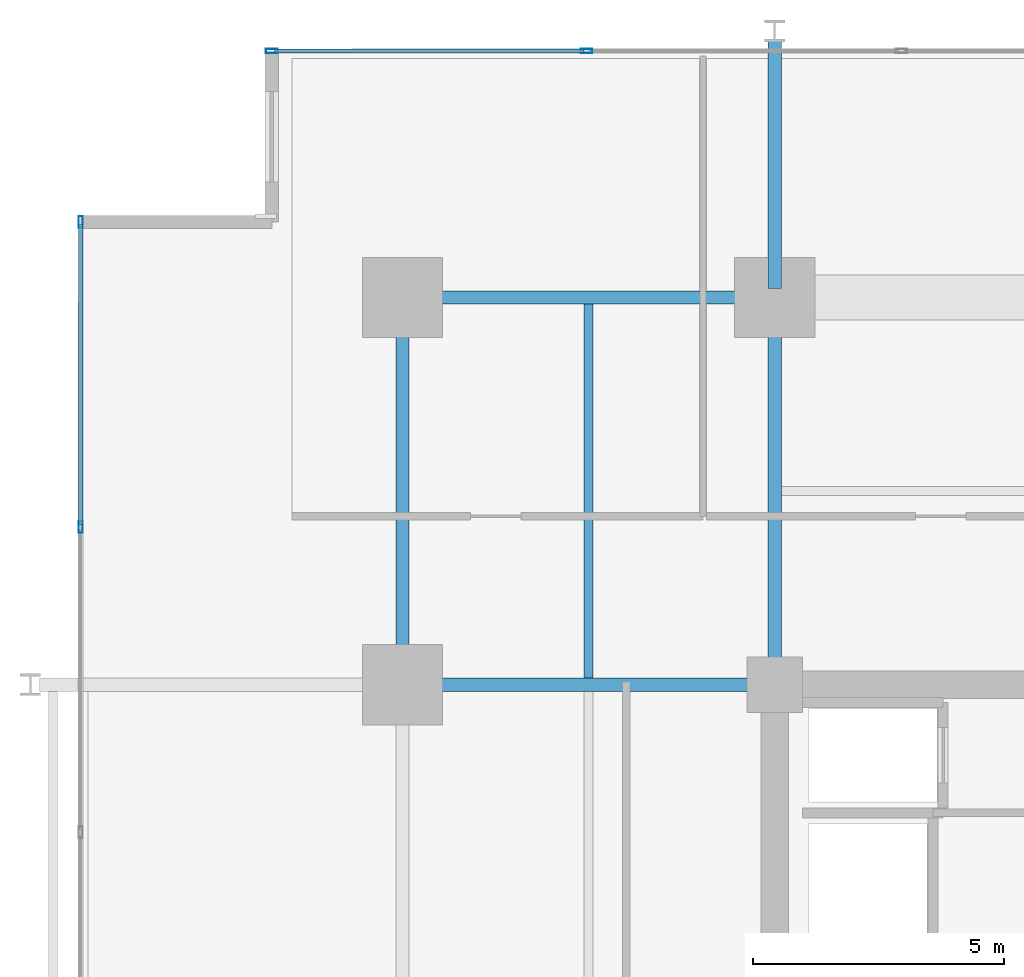
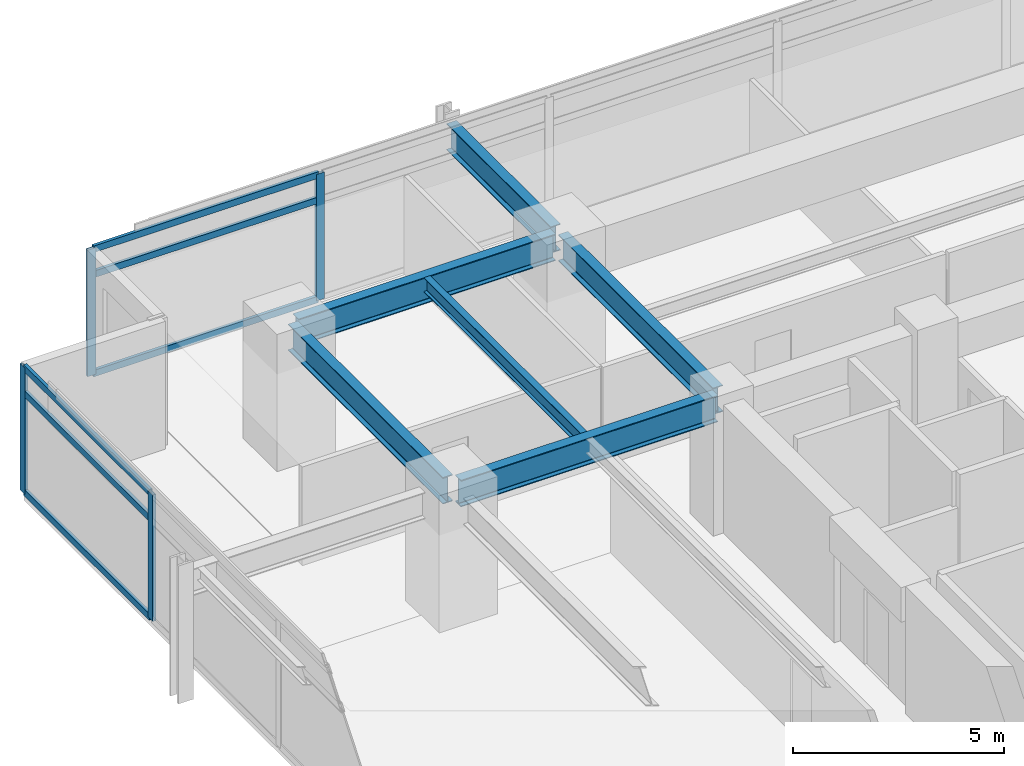
# One storey, part 6 of 22: 10 members, 6 beams, 2 elements without a shape of their own.
"""IFC4 building model written with IfcOpenShell, lengths in metres."""

from ifc_helpers import new_model, si_unit, direction, frame, origin, origin_2d, place, context, subcontext, project, spatial, hollow_rectangle, i_section, extrude, material, material_profile, profile_set, type_object, element, aggregate, save


model = new_model("IFC4")

# Units and contexts
model_context = context("Model", 3, precision=1e-05, world=origin(), true_north=direction((0.0, 1.0)))
body_context = subcontext(model_context, "Body", "Model", "MODEL_VIEW")
ifc_project = project(units=[si_unit("LENGTHUNIT", "METRE"), si_unit("AREAUNIT", "SQUARE_METRE"), si_unit("VOLUMEUNIT", "CUBIC_METRE"), si_unit("PLANEANGLEUNIT", "RADIAN"), si_unit("MASSUNIT", "GRAM", prefix="KILO")], contexts=[model_context])

# Site, building, storey
site_placement = place(None, origin())
site = spatial("IfcSite", under=ifc_project, at=site_placement, CompositionType="ELEMENT")
building_placement = place(site_placement, origin())
building = spatial("IfcBuilding", under=site, at=building_placement, Name="Kovane Verandah Tower", CompositionType="ELEMENT")
storey_placement = place(building_placement, frame((0.0, 0.0, 180.39990234375)))
storey = spatial("IfcBuildingStorey", under=building, at=storey_placement, Name="L42", CompositionType="ELEMENT", Elevation=180.39990234375)

# Beams
ifc_material_1 = material(Name="Steel S355", Category="steel")
ifc_material_profile_1 = material_profile(ifc_material_1, i_section(OverallWidth=0.26806640625, OverallDepth=0.769775390625, WebThickness=0.015625, FlangeThickness=0.025390625, FilletRadius=0.0166015625, at=origin_2d()), Name="UB762x267x197")
ifc_profile_set_1 = profile_set([ifc_material_profile_1], Name="Steel S355")
beam_type_1 = type_object("IfcBeamType", Name="BM-UB762x197", PredefinedType="BEAM", material=ifc_profile_set_1)
beam_1_placement = place(storey_placement, frame((21.780029296875, 44.199951171875, 3.315185546875), z_axis=(1.0, 0.0, 0.0), x_axis=(0.0, 1.0, 0.0)))
element("IfcBeam", 1, at=beam_1_placement, inside=storey, type_object=beam_type_1, Name="L42 Primary Tower Girder G-RN1", PredefinedType="BEAM", context=body_context, shape_type="SweptSolid", body=[
    extrude(i_section(OverallWidth=0.26806640625, OverallDepth=0.769775390625, WebThickness=0.015625, FlangeThickness=0.025390625, FilletRadius=0.0166015625, at=origin_2d()), origin(), (0.0, 0.0, 1.0), 7.0400390625),
])
beam_2_placement = place(storey_placement, frame((21.60009765625, 36.679931640625, 3.315185546875), z_axis=(0.0, 1.0, 0.0), x_axis=(-1.0, 0.0, 0.0)))
element("IfcBeam", 2, at=beam_2_placement, inside=storey, type_object=beam_type_1, Name="L42 Primary Tower Girder G-RW3", PredefinedType="BEAM", context=body_context, shape_type="SweptSolid", body=[
    extrude(i_section(OverallWidth=0.26806640625, OverallDepth=0.769775390625, WebThickness=0.015625, FlangeThickness=0.025390625, FilletRadius=0.0166015625, at=origin_2d()), origin(), (0.0, 0.0, 1.0), 7.340087890625),
])
beam_3_placement = place(storey_placement, frame((28.820068359375, 36.5, 3.315185546875), z_axis=(-1.0, 0.0, 0.0), x_axis=(0.0, -1.0, 0.0)))
element("IfcBeam", 3, at=beam_3_placement, inside=storey, type_object=beam_type_1, Name="L42 Primary Tower Girder G-W2", PredefinedType="BEAM", context=body_context, shape_type="SweptSolid", body=[
    extrude(i_section(OverallWidth=0.26806640625, OverallDepth=0.769775390625, WebThickness=0.015625, FlangeThickness=0.025390625, FilletRadius=0.0166015625, at=origin_2d()), origin(), (0.0, 0.0, 1.0), 7.0400390625),
])
beam_4_placement = place(storey_placement, frame((29.0, 36.679931640625, 3.315185546875), z_axis=(0.0, 1.0, 0.0), x_axis=(-1.0, 0.0, 0.0)))
element("IfcBeam", 4, at=beam_4_placement, inside=storey, type_object=beam_type_1, Name="L42 Primary Tower Girder G-N1", PredefinedType="BEAM", context=body_context, shape_type="SweptSolid", body=[
    extrude(i_section(OverallWidth=0.26806640625, OverallDepth=0.769775390625, WebThickness=0.015625, FlangeThickness=0.025390625, FilletRadius=0.0166015625, at=origin_2d()), origin(), (0.0, 0.0, 1.0), 7.340087890625),
])
beam_5_placement = place(storey_placement, frame((29.0, 44.3798828125, 3.315185546875), z_axis=(0.0, 1.0, 0.0), x_axis=(-1.0, 0.0, 0.0)))
element("IfcBeam", 5, at=beam_5_placement, inside=storey, type_object=beam_type_1, Name="L42 Primary Tower Girder G-VN1", PredefinedType="BEAM", context=body_context, shape_type="SweptSolid", body=[
    extrude(i_section(OverallWidth=0.26806640625, OverallDepth=0.769775390625, WebThickness=0.015625, FlangeThickness=0.025390625, FilletRadius=0.0166015625, at=origin_2d()), origin(), (0.0, 0.0, 1.0), 4.940185546875),
])

# Curtain wall, members
ifc_material_2 = material(Name="Champagne Anodised Aluminium Frame with Low-E Clear Laminated Glass", Category="aluminium")
curtain_wall_type = type_object("IfcCurtainWallType", Name="CW-SYS-03-MID", PredefinedType="NOTDEFINED", material=ifc_material_2)
curtain_wall_1_placement = place(storey_placement, origin())
curtain_wall_1 = element("IfcCurtainWall", 6, at=curtain_wall_1_placement, inside=storey, type_object=curtain_wall_type, Name="L42 N Unitised Curtain Wall", PredefinedType="NOTDEFINED")
ifc_material_3 = material(Name="Champagne Anodised Aluminium 6063-T6", Category="aluminium")
ifc_material_profile_2 = material_profile(ifc_material_3, hollow_rectangle(XDim=0.0849609375, YDim=0.22998046875, WallThickness=0.00390625, at=origin_2d()), Name="AL85x230x4")
ifc_profile_set_2 = profile_set([ifc_material_profile_2], Name="Champagne Anodised Aluminium 6063-T6")
member_type_1 = type_object("IfcMemberType", Name="CW-MUL-85x230", PredefinedType="MULLION", material=ifc_profile_set_2)
member_1_placement = place(storey_placement, frame((25.260009765625, 49.10009765625, 0.02001953125), z_axis=(0.0, 0.0, 1.0), x_axis=(0.0, 1.0, 0.0)))
member_1 = element("IfcMember", 7, at=member_1_placement, type_object=member_type_1, Name="L42 N Unitised Curtain Wall Mullion 7", PredefinedType="MULLION", context=body_context, shape_type="SweptSolid", body=[
    extrude(hollow_rectangle(XDim=0.0849609375, YDim=0.22998046875, WallThickness=0.00390625, at=origin_2d()), origin(), (0.0, 0.0, 1.0), 3.66015625),
])
member_2_placement = place(storey_placement, frame((19.0, 49.10009765625, 0.02001953125), z_axis=(0.0, 0.0, 1.0), x_axis=(0.0, 1.0, 0.0)))
member_2 = element("IfcMember", 8, at=member_2_placement, type_object=member_type_1, Name="L42 N Unitised Curtain Wall Mullion 8", PredefinedType="MULLION", context=body_context, shape_type="SweptSolid", body=[
    extrude(hollow_rectangle(XDim=0.0849609375, YDim=0.22998046875, WallThickness=0.00390625, at=origin_2d()), origin(), (0.0, 0.0, 1.0), 3.66015625),
])

curtain_wall_2_placement = place(storey_placement, origin())
curtain_wall_2 = element("IfcCurtainWall", 9, at=curtain_wall_2_placement, inside=storey, type_object=curtain_wall_type, Name="L42 W Unitised Curtain Wall", PredefinedType="NOTDEFINED")
member_3_placement = place(storey_placement, frame((15.199951171875, 45.699951171875, 0.02001953125), z_axis=(0.0, 0.0, 1.0), x_axis=(-1.0, 0.0, 0.0)))
member_3 = element("IfcMember", 10, at=member_3_placement, type_object=member_type_1, Name="L42 W Unitised Curtain Wall Mullion 1", PredefinedType="MULLION", context=body_context, shape_type="SweptSolid", body=[
    extrude(hollow_rectangle(XDim=0.0849609375, YDim=0.22998046875, WallThickness=0.00390625, at=origin_2d()), origin(), (0.0, 0.0, 1.0), 3.66015625),
])
member_4_placement = place(storey_placement, frame((15.199951171875, 39.63330078125, 0.02001953125), z_axis=(0.0, 0.0, 1.0), x_axis=(-1.0, 0.0, 0.0)))
member_4 = element("IfcMember", 11, at=member_4_placement, type_object=member_type_1, Name="L42 W Unitised Curtain Wall Mullion 2", PredefinedType="MULLION", context=body_context, shape_type="SweptSolid", body=[
    extrude(hollow_rectangle(XDim=0.0849609375, YDim=0.22998046875, WallThickness=0.00390625, at=origin_2d()), origin(), (0.0, 0.0, 1.0), 3.66015625),
])

# Member
ifc_material_profile_3 = material_profile(ifc_material_3, hollow_rectangle(XDim=0.0849609375, YDim=0.18994140625, WallThickness=0.00390625, at=origin_2d()), Name="AL85x190x4")
ifc_profile_set_3 = profile_set([ifc_material_profile_3], Name="Champagne Anodised Aluminium 6063-T6")
member_type_2 = type_object("IfcMemberType", Name="CW-TRN-85x190", PredefinedType="USERDEFINED", material=ifc_profile_set_3)
member_5_placement = place(storey_placement, frame((25.2099609375, 49.10009765625, 0.050048828125), z_axis=(-1.0, 0.0, 0.0), x_axis=(0.0, -1.0, 0.0)))
member_5 = element("IfcMember", 12, at=member_5_placement, type_object=member_type_2, Name="L42 N Unitised Curtain Wall Transom TB Bay 7", ObjectType="TRANSOM", PredefinedType="USERDEFINED", context=body_context, shape_type="SweptSolid", body=[
    extrude(hollow_rectangle(XDim=0.0849609375, YDim=0.18994140625, WallThickness=0.00390625, at=origin_2d()), origin(), (0.0, 0.0, 1.0), 6.159912109375),
])

member_6_placement = place(storey_placement, frame((25.2099609375, 49.10009765625, 2.920166015625), z_axis=(-1.0, 0.0, 0.0), x_axis=(0.0, -1.0, 0.0)))
member_6 = element("IfcMember", 13, at=member_6_placement, type_object=member_type_2, Name="L42 N Unitised Curtain Wall Transom TM Bay 7", ObjectType="TRANSOM", PredefinedType="USERDEFINED", context=body_context, shape_type="SweptSolid", body=[
    extrude(hollow_rectangle(XDim=0.0849609375, YDim=0.18994140625, WallThickness=0.00390625, at=origin_2d()), origin(), (0.0, 0.0, 1.0), 6.159912109375),
])

member_7_placement = place(storey_placement, frame((25.2099609375, 49.10009765625, 3.650146484375), z_axis=(-1.0, 0.0, 0.0), x_axis=(0.0, -1.0, 0.0)))
member_7 = element("IfcMember", 14, at=member_7_placement, type_object=member_type_2, Name="L42 N Unitised Curtain Wall Transom TT Bay 7", ObjectType="TRANSOM", PredefinedType="USERDEFINED", context=body_context, shape_type="SweptSolid", body=[
    extrude(hollow_rectangle(XDim=0.0849609375, YDim=0.18994140625, WallThickness=0.00390625, at=origin_2d()), origin(), (0.0, 0.0, 1.0), 6.159912109375),
])

aggregate(curtain_wall_1, [member_1, member_2, member_5, member_6, member_7])

member_8_placement = place(storey_placement, frame((15.199951171875, 45.64990234375, 0.050048828125), z_axis=(0.0, -1.0, 0.0), x_axis=(1.0, 0.0, 0.0)))
member_8 = element("IfcMember", 15, at=member_8_placement, type_object=member_type_2, Name="L42 W Unitised Curtain Wall Transom TB Bay 1", ObjectType="TRANSOM", PredefinedType="USERDEFINED", context=body_context, shape_type="SweptSolid", body=[
    extrude(hollow_rectangle(XDim=0.0849609375, YDim=0.18994140625, WallThickness=0.00390625, at=origin_2d()), origin(), (0.0, 0.0, 1.0), 5.966552734375),
])

member_9_placement = place(storey_placement, frame((15.199951171875, 45.64990234375, 2.920166015625), z_axis=(0.0, -1.0, 0.0), x_axis=(1.0, 0.0, 0.0)))
member_9 = element("IfcMember", 16, at=member_9_placement, type_object=member_type_2, Name="L42 W Unitised Curtain Wall Transom TM Bay 1", ObjectType="TRANSOM", PredefinedType="USERDEFINED", context=body_context, shape_type="SweptSolid", body=[
    extrude(hollow_rectangle(XDim=0.0849609375, YDim=0.18994140625, WallThickness=0.00390625, at=origin_2d()), origin(), (0.0, 0.0, 1.0), 5.966552734375),
])

member_10_placement = place(storey_placement, frame((15.199951171875, 45.64990234375, 3.650146484375), z_axis=(0.0, -1.0, 0.0), x_axis=(1.0, 0.0, 0.0)))
member_10 = element("IfcMember", 17, at=member_10_placement, type_object=member_type_2, Name="L42 W Unitised Curtain Wall Transom TT Bay 1", ObjectType="TRANSOM", PredefinedType="USERDEFINED", context=body_context, shape_type="SweptSolid", body=[
    extrude(hollow_rectangle(XDim=0.0849609375, YDim=0.18994140625, WallThickness=0.00390625, at=origin_2d()), origin(), (0.0, 0.0, 1.0), 5.966552734375),
])

aggregate(curtain_wall_2, [member_3, member_4, member_8, member_9, member_10])

# Beam
ifc_material_profile_4 = material_profile(ifc_material_1, i_section(OverallWidth=0.179443359375, OverallDepth=0.412841796875, WebThickness=0.009521484375, FlangeThickness=0.01611328125, FilletRadius=0.01025390625, at=origin_2d()), Name="UB406x178x74")
ifc_profile_set_4 = profile_set([ifc_material_profile_4], Name="Steel S355")
beam_type_2 = type_object("IfcBeamType", Name="JST-UB406x74", PredefinedType="JOIST", material=ifc_profile_set_4)
beam_6_placement = place(storey_placement, frame((25.300048828125, 36.632080078125, 3.49365234375), z_axis=(0.0, 1.0, 0.0), x_axis=(-1.0, 0.0, 0.0)))
element("IfcBeam", 18, at=beam_6_placement, inside=storey, type_object=beam_type_2, Name="L42 Secondary Composite Joist J-NW1", PredefinedType="JOIST", context=body_context, shape_type="SweptSolid", body=[
    extrude(i_section(OverallWidth=0.179443359375, OverallDepth=0.412841796875, WebThickness=0.009521484375, FlangeThickness=0.01611328125, FilletRadius=0.01025390625, at=origin_2d()), origin(), (0.0, 0.0, 1.0), 7.43603515625),
])

save(model, "model.ifc")
